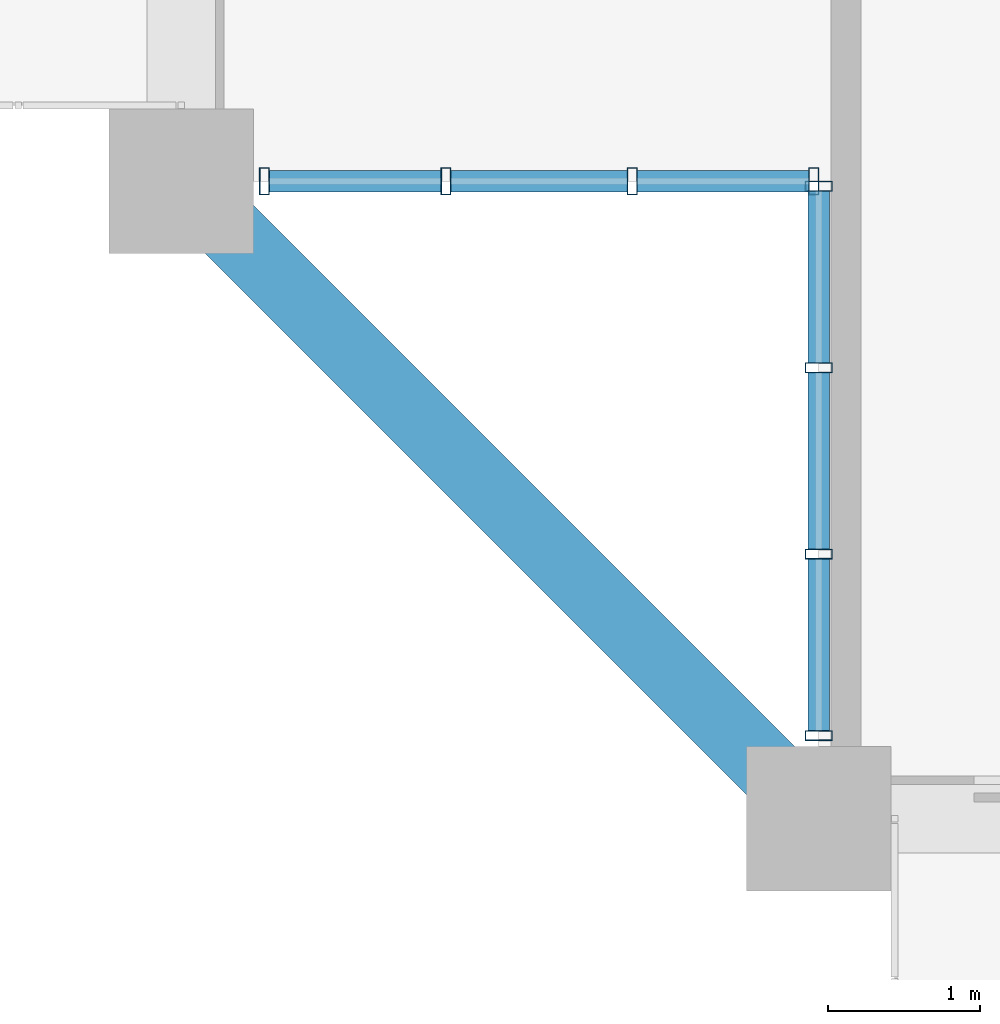
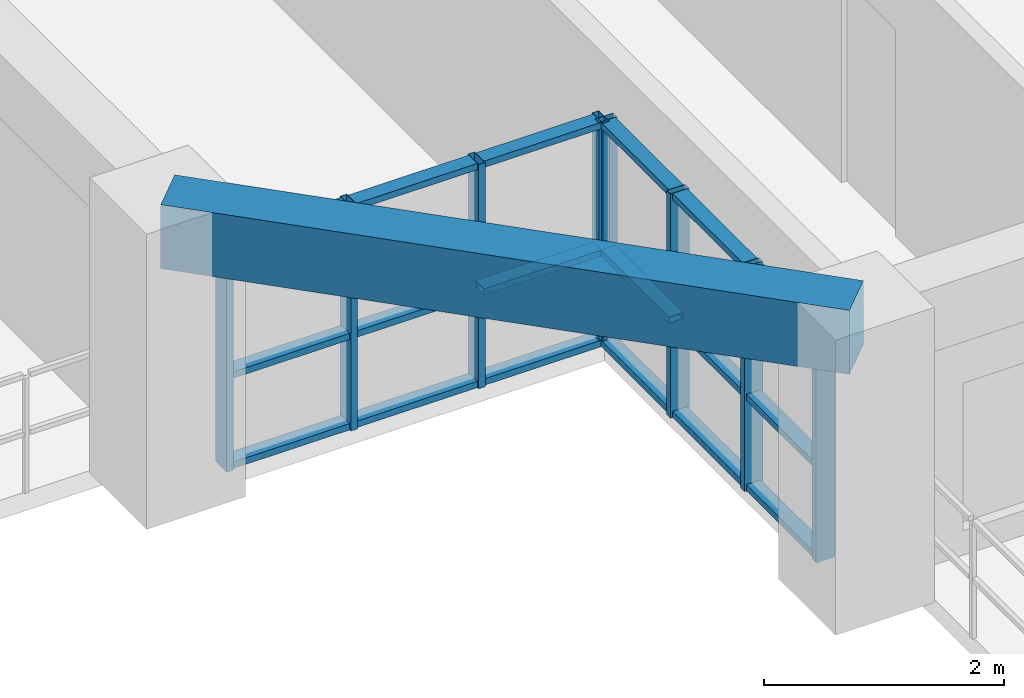
# One storey, part 2 of 26: 26 members, 1 beam, 2 elements without a shape of their own.
"""IFC4 building model written with IfcOpenShell, lengths in metres."""

from ifc_helpers import new_model, si_unit, direction, frame, origin, origin_2d, place, context, subcontext, project, spatial, rectangle, hollow_rectangle, extrude, source, transform, mapped, material, layer, layer_set, material_profile, profile_set, type_object, element, aggregate, save


model = new_model("IFC4")

# Units and contexts
model_context = context("Model", 3, precision=1e-05, world=origin(), true_north=direction((0.0, 1.0)))
body_context = subcontext(model_context, "Body", "Model", "MODEL_VIEW")
ifc_project = project(units=[si_unit("LENGTHUNIT", "METRE"), si_unit("AREAUNIT", "SQUARE_METRE"), si_unit("VOLUMEUNIT", "CUBIC_METRE"), si_unit("PLANEANGLEUNIT", "RADIAN"), si_unit("MASSUNIT", "GRAM", prefix="KILO")], contexts=[model_context])

# Site, building, storey
site_placement = place(None, origin())
site = spatial("IfcSite", under=ifc_project, at=site_placement, CompositionType="ELEMENT")
building_placement = place(site_placement, origin())
building = spatial("IfcBuilding", under=site, at=building_placement, Name="Saelheon Loggia Tower", CompositionType="ELEMENT")
storey_placement = place(building_placement, frame((0.0, 0.0, 89.85009765625)))
storey = spatial("IfcBuildingStorey", under=building, at=storey_placement, Name="L28", CompositionType="ELEMENT", Elevation=89.85009765625)

# Beam
ifc_material_1 = material(Name="Concrete C40/50", Category="concrete")
ifc_material_profile_1 = material_profile(ifc_material_1, rectangle(XDim=0.449951171875, YDim=0.64990234375, at=origin_2d()), Name="RC-450x650")
ifc_profile_set_1 = profile_set([ifc_material_profile_1], Name="Concrete C40/50")
beam_type = type_object("IfcBeamType", Name="Beam_PerimTower_RC450x650", PredefinedType="BEAM", material=ifc_profile_set_1)
shared_shape_1 = source(origin(), body_context, "Body", "SweptSolid", [
    extrude(rectangle(XDim=0.449951171875, YDim=0.64990234375, at=origin_2d()), origin(), (0.0, 0.0, 1.0), 5.939697265625),
])
beam_placement = place(storey_placement, frame((12.0, 7.199951171875, 2.6748046875), z_axis=(0.707106781187, -0.707106781187, 0.0), x_axis=(0.707106781187, 0.707106781187, 0.0)))
element("IfcBeam", 1, at=beam_placement, inside=storey, type_object=beam_type, Name="L28 Perimeter Frame Girder 16", PredefinedType="BEAM", context=body_context, shape_type="MappedRepresentation", body=[
    mapped(shared_shape_1, transform((0.0, 0.0, 0.0), scale=1.0)),
])

# Curtain wall, members
ifc_material_2 = material(Name="Thermal-Break Aluminium and Triple Low-E Glass", Category="aluminium")
ifc_layer = layer(ifc_material_2, 0.159912109375)
ifc_layer_set = layer_set([ifc_layer], Name="Thermal-Break Aluminium and Triple Low-E Glass")
curtain_wall_type = type_object("IfcCurtainWallType", Name="CW_TowerLoggiaLow", PredefinedType="NOTDEFINED", material=ifc_layer_set)
curtain_wall_1_placement = place(storey_placement, origin())
curtain_wall_1 = element("IfcCurtainWall", 2, at=curtain_wall_1_placement, inside=storey, type_object=curtain_wall_type, Name="L28 Corner Notch Glazing SW1", PredefinedType="NOTDEFINED")
ifc_material_3 = material(Name="Anodised Aluminium 6063-T6", Category="aluminium")
ifc_material_profile_2 = material_profile(ifc_material_3, hollow_rectangle(XDim=0.06494140625, YDim=0.179931640625, WallThickness=0.00390625, at=origin_2d()), Name="RHS-180x65x4")
ifc_profile_set_2 = profile_set([ifc_material_profile_2], Name="Anodised Aluminium 6063-T6")
member_type_1 = type_object("IfcMemberType", Name="CW_TowerLoggiaLow_Mullion", PredefinedType="MULLION", material=ifc_profile_set_2)
shared_shape_2 = source(origin(), body_context, "Body", "SweptSolid", [
    extrude(hollow_rectangle(XDim=0.06494140625, YDim=0.179931640625, WallThickness=0.00390625, at=origin_2d()), origin(), (0.0, 0.0, 1.0), 2.27978515625),
])
member_1_placement = place(storey_placement, frame((16.199951171875, 3.547607421875, 0.0), z_axis=(0.0, 0.0, 1.0), x_axis=(0.0, 1.0, 0.0)))
member_1 = element("IfcMember", 3, at=member_1_placement, type_object=member_type_1, Name="CW3 mullion 1", PredefinedType="MULLION", context=body_context, shape_type="MappedRepresentation", body=[
    mapped(shared_shape_2, transform((0.0, 0.0, 0.0), scale=1.0)),
])
member_2_placement = place(storey_placement, frame((16.199951171875, 4.743408203125, 0.0), z_axis=(0.0, 0.0, 1.0), x_axis=(0.0, 1.0, 0.0)))
member_2 = element("IfcMember", 4, at=member_2_placement, type_object=member_type_1, Name="CW3 mullion 2", PredefinedType="MULLION", context=body_context, shape_type="MappedRepresentation", body=[
    mapped(shared_shape_2, transform((0.0, 0.0, 0.0), scale=1.0)),
])
member_3_placement = place(storey_placement, frame((16.199951171875, 5.9716796875, 0.0), z_axis=(0.0, 0.0, 1.0), x_axis=(0.0, 1.0, 0.0)))
member_3 = element("IfcMember", 5, at=member_3_placement, type_object=member_type_1, Name="CW3 mullion 3", PredefinedType="MULLION", context=body_context, shape_type="MappedRepresentation", body=[
    mapped(shared_shape_2, transform((0.0, 0.0, 0.0), scale=1.0)),
])
member_4_placement = place(storey_placement, frame((16.199951171875, 7.16748046875, 0.0), z_axis=(0.0, 0.0, 1.0), x_axis=(0.0, 1.0, 0.0)))
member_4 = element("IfcMember", 6, at=member_4_placement, type_object=member_type_1, Name="CW3 mullion 4", PredefinedType="MULLION", context=body_context, shape_type="MappedRepresentation", body=[
    mapped(shared_shape_2, transform((0.0, 0.0, 0.0), scale=1.0)),
])

curtain_wall_2_placement = place(storey_placement, origin())
curtain_wall_2 = element("IfcCurtainWall", 7, at=curtain_wall_2_placement, inside=storey, type_object=curtain_wall_type, Name="L28 Corner Notch Glazing SW2", PredefinedType="NOTDEFINED")
member_5_placement = place(storey_placement, frame((12.547607421875, 7.199951171875, 0.0), z_axis=(0.0, 0.0, 1.0), x_axis=(1.0, 0.0, 0.0)))
member_5 = element("IfcMember", 8, at=member_5_placement, type_object=member_type_1, Name="CW3 mullion 1", PredefinedType="MULLION", context=body_context, shape_type="MappedRepresentation", body=[
    mapped(shared_shape_2, transform((0.0, 0.0, 0.0), scale=1.0)),
])
member_6_placement = place(storey_placement, frame((13.743408203125, 7.199951171875, 0.0), z_axis=(0.0, 0.0, 1.0), x_axis=(1.0, 0.0, 0.0)))
member_6 = element("IfcMember", 9, at=member_6_placement, type_object=member_type_1, Name="CW3 mullion 2", PredefinedType="MULLION", context=body_context, shape_type="MappedRepresentation", body=[
    mapped(shared_shape_2, transform((0.0, 0.0, 0.0), scale=1.0)),
])
member_7_placement = place(storey_placement, frame((14.9716796875, 7.199951171875, 0.0), z_axis=(0.0, 0.0, 1.0), x_axis=(1.0, 0.0, 0.0)))
member_7 = element("IfcMember", 10, at=member_7_placement, type_object=member_type_1, Name="CW3 mullion 3", PredefinedType="MULLION", context=body_context, shape_type="MappedRepresentation", body=[
    mapped(shared_shape_2, transform((0.0, 0.0, 0.0), scale=1.0)),
])
member_8_placement = place(storey_placement, frame((16.16748046875, 7.199951171875, 0.0), z_axis=(0.0, 0.0, 1.0), x_axis=(1.0, 0.0, 0.0)))
member_8 = element("IfcMember", 11, at=member_8_placement, type_object=member_type_1, Name="CW3 mullion 4", PredefinedType="MULLION", context=body_context, shape_type="MappedRepresentation", body=[
    mapped(shared_shape_2, transform((0.0, 0.0, 0.0), scale=1.0)),
])

# Member
ifc_material_profile_3 = material_profile(ifc_material_3, hollow_rectangle(XDim=0.06494140625, YDim=0.139892578125, WallThickness=0.00390625, at=origin_2d()), Name="RHS-140x65x4")
ifc_profile_set_3 = profile_set([ifc_material_profile_3], Name="Anodised Aluminium 6063-T6")
member_type_2 = type_object("IfcMemberType", Name="CW_TowerLoggiaLow_Transom", PredefinedType="USERDEFINED", material=ifc_profile_set_3)
shared_shape_3 = source(origin(), body_context, "Body", "SweptSolid", [
    extrude(hollow_rectangle(XDim=0.06494140625, YDim=0.139892578125, WallThickness=0.00390625, at=origin_2d()), origin(), (0.0, 0.0, 1.0), 1.130859375),
])
member_9_placement = place(storey_placement, frame((16.199951171875, 3.580078125, 0.032470703125), z_axis=(0.0, 1.0, 0.0), x_axis=(0.0, 0.0, 1.0)))
member_9 = element("IfcMember", 12, at=member_9_placement, type_object=member_type_2, Name="CW3 transom 1.1", ObjectType="TRANSOM", PredefinedType="USERDEFINED", context=body_context, shape_type="MappedRepresentation", body=[
    mapped(shared_shape_3, transform((0.0, 0.0, 0.0), scale=1.0)),
])

member_10_placement = place(storey_placement, frame((16.199951171875, 3.580078125, 0.949951171875), z_axis=(0.0, 1.0, 0.0), x_axis=(0.0, 0.0, 1.0)))
member_10 = element("IfcMember", 13, at=member_10_placement, type_object=member_type_2, Name="CW3 transom 1.2", ObjectType="TRANSOM", PredefinedType="USERDEFINED", context=body_context, shape_type="MappedRepresentation", body=[
    mapped(shared_shape_3, transform((0.0, 0.0, 0.0), scale=1.0)),
])

member_11_placement = place(storey_placement, frame((16.199951171875, 3.580078125, 2.247314453125), z_axis=(0.0, 1.0, 0.0), x_axis=(0.0, 0.0, 1.0)))
member_11 = element("IfcMember", 14, at=member_11_placement, type_object=member_type_2, Name="CW3 transom 1.3", ObjectType="TRANSOM", PredefinedType="USERDEFINED", context=body_context, shape_type="MappedRepresentation", body=[
    mapped(shared_shape_3, transform((0.0, 0.0, 0.0), scale=1.0)),
])

member_12_placement = place(storey_placement, frame((16.199951171875, 6.004150390625, 0.032470703125), z_axis=(0.0, 1.0, 0.0), x_axis=(0.0, 0.0, 1.0)))
member_12 = element("IfcMember", 15, at=member_12_placement, type_object=member_type_2, Name="CW3 transom 3.1", ObjectType="TRANSOM", PredefinedType="USERDEFINED", context=body_context, shape_type="MappedRepresentation", body=[
    mapped(shared_shape_3, transform((0.0, 0.0, 0.0), scale=1.0)),
])

member_13_placement = place(storey_placement, frame((16.199951171875, 6.004150390625, 0.949951171875), z_axis=(0.0, 1.0, 0.0), x_axis=(0.0, 0.0, 1.0)))
member_13 = element("IfcMember", 16, at=member_13_placement, type_object=member_type_2, Name="CW3 transom 3.2", ObjectType="TRANSOM", PredefinedType="USERDEFINED", context=body_context, shape_type="MappedRepresentation", body=[
    mapped(shared_shape_3, transform((0.0, 0.0, 0.0), scale=1.0)),
])

member_14_placement = place(storey_placement, frame((16.199951171875, 6.004150390625, 2.247314453125), z_axis=(0.0, 1.0, 0.0), x_axis=(0.0, 0.0, 1.0)))
member_14 = element("IfcMember", 17, at=member_14_placement, type_object=member_type_2, Name="CW3 transom 3.3", ObjectType="TRANSOM", PredefinedType="USERDEFINED", context=body_context, shape_type="MappedRepresentation", body=[
    mapped(shared_shape_3, transform((0.0, 0.0, 0.0), scale=1.0)),
])

member_15_placement = place(storey_placement, frame((12.580078125, 7.199951171875, 0.032470703125), z_axis=(1.0, 0.0, 0.0), x_axis=(0.0, 0.0, 1.0)))
member_15 = element("IfcMember", 18, at=member_15_placement, type_object=member_type_2, Name="CW3 transom 1.1", ObjectType="TRANSOM", PredefinedType="USERDEFINED", context=body_context, shape_type="MappedRepresentation", body=[
    mapped(shared_shape_3, transform((0.0, 0.0, 0.0), scale=1.0)),
])

member_16_placement = place(storey_placement, frame((12.580078125, 7.199951171875, 0.949951171875), z_axis=(1.0, 0.0, 0.0), x_axis=(0.0, 0.0, 1.0)))
member_16 = element("IfcMember", 19, at=member_16_placement, type_object=member_type_2, Name="CW3 transom 1.2", ObjectType="TRANSOM", PredefinedType="USERDEFINED", context=body_context, shape_type="MappedRepresentation", body=[
    mapped(shared_shape_3, transform((0.0, 0.0, 0.0), scale=1.0)),
])

member_17_placement = place(storey_placement, frame((12.580078125, 7.199951171875, 2.247314453125), z_axis=(1.0, 0.0, 0.0), x_axis=(0.0, 0.0, 1.0)))
member_17 = element("IfcMember", 20, at=member_17_placement, type_object=member_type_2, Name="CW3 transom 1.3", ObjectType="TRANSOM", PredefinedType="USERDEFINED", context=body_context, shape_type="MappedRepresentation", body=[
    mapped(shared_shape_3, transform((0.0, 0.0, 0.0), scale=1.0)),
])

member_18_placement = place(storey_placement, frame((15.004150390625, 7.199951171875, 0.032470703125), z_axis=(1.0, 0.0, 0.0), x_axis=(0.0, 0.0, 1.0)))
member_18 = element("IfcMember", 21, at=member_18_placement, type_object=member_type_2, Name="CW3 transom 3.1", ObjectType="TRANSOM", PredefinedType="USERDEFINED", context=body_context, shape_type="MappedRepresentation", body=[
    mapped(shared_shape_3, transform((0.0, 0.0, 0.0), scale=1.0)),
])

member_19_placement = place(storey_placement, frame((15.004150390625, 7.199951171875, 0.949951171875), z_axis=(1.0, 0.0, 0.0), x_axis=(0.0, 0.0, 1.0)))
member_19 = element("IfcMember", 22, at=member_19_placement, type_object=member_type_2, Name="CW3 transom 3.2", ObjectType="TRANSOM", PredefinedType="USERDEFINED", context=body_context, shape_type="MappedRepresentation", body=[
    mapped(shared_shape_3, transform((0.0, 0.0, 0.0), scale=1.0)),
])

member_20_placement = place(storey_placement, frame((15.004150390625, 7.199951171875, 2.247314453125), z_axis=(1.0, 0.0, 0.0), x_axis=(0.0, 0.0, 1.0)))
member_20 = element("IfcMember", 23, at=member_20_placement, type_object=member_type_2, Name="CW3 transom 3.3", ObjectType="TRANSOM", PredefinedType="USERDEFINED", context=body_context, shape_type="MappedRepresentation", body=[
    mapped(shared_shape_3, transform((0.0, 0.0, 0.0), scale=1.0)),
])

shared_shape_4 = source(origin(), body_context, "Body", "SweptSolid", [
    extrude(hollow_rectangle(XDim=0.06494140625, YDim=0.139892578125, WallThickness=0.00390625, at=origin_2d()), origin(), (0.0, 0.0, 1.0), 1.163330078125),
])
member_21_placement = place(storey_placement, frame((16.199951171875, 4.77587890625, 0.032470703125), z_axis=(0.0, 1.0, 0.0), x_axis=(0.0, 0.0, 1.0)))
member_21 = element("IfcMember", 24, at=member_21_placement, type_object=member_type_2, Name="CW3 transom 2.1", ObjectType="TRANSOM", PredefinedType="USERDEFINED", context=body_context, shape_type="MappedRepresentation", body=[
    mapped(shared_shape_4, transform((0.0, 0.0, 0.0), scale=1.0)),
])

member_22_placement = place(storey_placement, frame((16.199951171875, 4.77587890625, 0.949951171875), z_axis=(0.0, 1.0, 0.0), x_axis=(0.0, 0.0, 1.0)))
member_22 = element("IfcMember", 25, at=member_22_placement, type_object=member_type_2, Name="CW3 transom 2.2", ObjectType="TRANSOM", PredefinedType="USERDEFINED", context=body_context, shape_type="MappedRepresentation", body=[
    mapped(shared_shape_4, transform((0.0, 0.0, 0.0), scale=1.0)),
])

member_23_placement = place(storey_placement, frame((16.199951171875, 4.77587890625, 2.247314453125), z_axis=(0.0, 1.0, 0.0), x_axis=(0.0, 0.0, 1.0)))
member_23 = element("IfcMember", 26, at=member_23_placement, type_object=member_type_2, Name="CW3 transom 2.3", ObjectType="TRANSOM", PredefinedType="USERDEFINED", context=body_context, shape_type="MappedRepresentation", body=[
    mapped(shared_shape_4, transform((0.0, 0.0, 0.0), scale=1.0)),
])

aggregate(curtain_wall_1, [member_1, member_2, member_3, member_4, member_9, member_10, member_11, member_21, member_22, member_23, member_12, member_13, member_14])

member_24_placement = place(storey_placement, frame((13.77587890625, 7.199951171875, 0.032470703125), z_axis=(1.0, 0.0, 0.0), x_axis=(0.0, 0.0, 1.0)))
member_24 = element("IfcMember", 27, at=member_24_placement, type_object=member_type_2, Name="CW3 transom 2.1", ObjectType="TRANSOM", PredefinedType="USERDEFINED", context=body_context, shape_type="MappedRepresentation", body=[
    mapped(shared_shape_4, transform((0.0, 0.0, 0.0), scale=1.0)),
])

member_25_placement = place(storey_placement, frame((13.77587890625, 7.199951171875, 0.949951171875), z_axis=(1.0, 0.0, 0.0), x_axis=(0.0, 0.0, 1.0)))
member_25 = element("IfcMember", 28, at=member_25_placement, type_object=member_type_2, Name="CW3 transom 2.2", ObjectType="TRANSOM", PredefinedType="USERDEFINED", context=body_context, shape_type="MappedRepresentation", body=[
    mapped(shared_shape_4, transform((0.0, 0.0, 0.0), scale=1.0)),
])

member_26_placement = place(storey_placement, frame((13.77587890625, 7.199951171875, 2.247314453125), z_axis=(1.0, 0.0, 0.0), x_axis=(0.0, 0.0, 1.0)))
member_26 = element("IfcMember", 29, at=member_26_placement, type_object=member_type_2, Name="CW3 transom 2.3", ObjectType="TRANSOM", PredefinedType="USERDEFINED", context=body_context, shape_type="MappedRepresentation", body=[
    mapped(shared_shape_4, transform((0.0, 0.0, 0.0), scale=1.0)),
])

aggregate(curtain_wall_2, [member_5, member_6, member_7, member_8, member_15, member_16, member_17, member_24, member_25, member_26, member_18, member_19, member_20])

save(model, "model.ifc")
